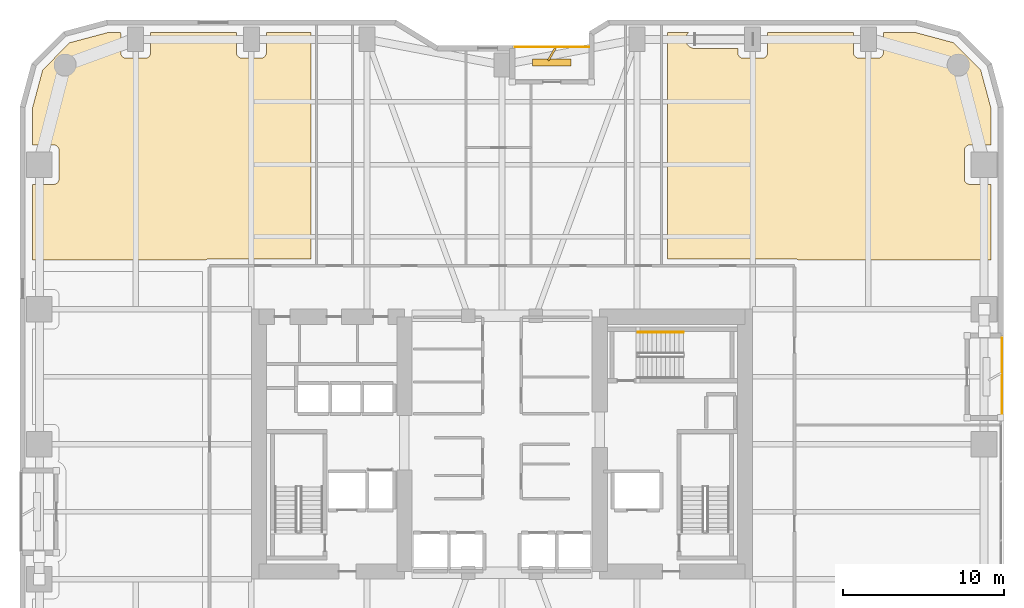
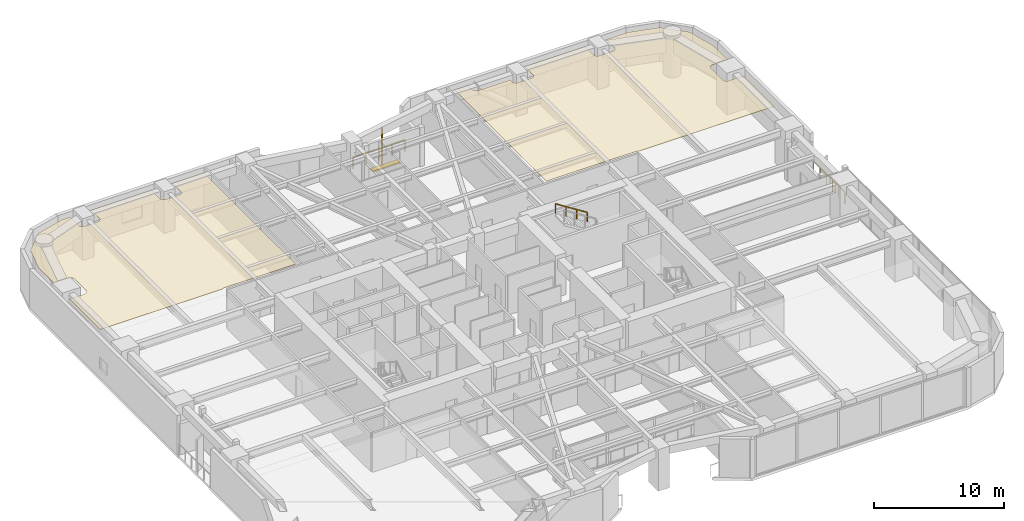
# One storey, part 26 of 26: 3 railings, 2 coverings, 2 shading devices.
"""IFC4 building model written with IfcOpenShell, lengths in metres."""

from ifc_helpers import new_model, si_unit, direction, frame, origin, origin_2d, place, context, subcontext, project, spatial, polyline, rectangle, outline, extrude, material, layer, layer_set, type_object, element, save


model = new_model("IFC4")

# Units and contexts
model_context = context("Model", 3, precision=1e-05, world=origin(), true_north=direction((0.0, 1.0)))
body_context = subcontext(model_context, "Body", "Model", "MODEL_VIEW")
ifc_project = project(units=[si_unit("LENGTHUNIT", "METRE"), si_unit("AREAUNIT", "SQUARE_METRE"), si_unit("VOLUMEUNIT", "CUBIC_METRE"), si_unit("PLANEANGLEUNIT", "RADIAN"), si_unit("MASSUNIT", "GRAM", prefix="KILO")], contexts=[model_context])

# Site, building, storey
site_placement = place(None, origin())
site = spatial("IfcSite", under=ifc_project, at=site_placement, CompositionType="ELEMENT")
building_placement = place(site_placement, origin())
building = spatial("IfcBuilding", under=site, at=building_placement, Name="Kiyonajd Concourse Tower", CompositionType="ELEMENT")
storey_placement = place(building_placement, frame((0.0, 0.0, 72.89990234375)))
storey = spatial("IfcBuildingStorey", under=building, at=storey_placement, Name="L19", CompositionType="ELEMENT", Elevation=72.89990234375)

# Coverings
ifc_material_1 = material(Name="Natural Oak Acoustic Timber Veneer", Category="wood")
ifc_layer = layer(ifc_material_1, 0.0400390625)
ifc_layer_set = layer_set([ifc_layer], Name="Natural Oak Acoustic Timber Veneer")
covering_type = type_object("IfcCoveringType", Name="CV-CLG-ACST", PredefinedType="CEILING", material=ifc_layer_set)
covering_1_placement = place(storey_placement, frame((0.0, 0.0, 3.460205078125)))
element("IfcCovering", 1, at=covering_1_placement, inside=storey, type_object=covering_type, Name="L19-47 Room Acoustic Ceiling", PredefinedType="CEILING", context=body_context, shape_type="SweptSolid", body=[
    extrude(outline(polyline([(21.097900390625, 60.986083984375), (23.5009765625, 61.6298828125), (24.27001953125, 61.6298828125), (24.27197265625, 60.3359375), (24.297119140625, 60.236083984375), (24.3291015625, 60.176025390625), (24.373046875, 60.123046875), (24.426025390625, 60.0791015625), (24.486083984375, 60.047119140625), (24.5859375, 60.02197265625), (25.81396484375, 60.02197265625), (25.9140625, 60.047119140625), (26.001953125, 60.09912109375), (26.051025390625, 60.14794921875), (26.089111328125, 60.205078125), (26.123046875, 60.302001953125), (26.1298828125, 60.3701171875), (26.1298828125, 61.6298828125), (31.469970703125, 61.6298828125), (31.471923828125, 60.3359375), (31.4970703125, 60.236083984375), (31.529052734375, 60.176025390625), (31.572998046875, 60.123046875), (31.6259765625, 60.0791015625), (31.68603515625, 60.047119140625), (31.785888671875, 60.02197265625), (32.97998046875, 60.02001953125), (33.048095703125, 60.027099609375), (33.114013671875, 60.047119140625), (33.201904296875, 60.09912109375), (33.2509765625, 60.14794921875), (33.2890625, 60.205078125), (33.322998046875, 60.302001953125), (33.330078125, 60.3701171875), (33.330078125, 61.6298828125), (36.110107421875, 61.6298828125), (36.110107421875, 47.5400390625), (29.800048828125, 47.5400390625), (29.669921875, 47.52001953125), (29.60693359375, 47.493896484375), (29.552001953125, 47.4599609375), (18.77001953125, 47.4599609375), (18.77001953125, 52.169921875), (20.080078125, 52.169921875), (20.14794921875, 52.177001953125), (20.2451171875, 52.2109375), (20.302001953125, 52.2490234375), (20.35107421875, 52.298095703125), (20.388916015625, 52.35498046875), (20.4150390625, 52.41796875), (20.429931640625, 52.52001953125), (20.429931640625, 54.280029296875), (20.4150390625, 54.382080078125), (20.388916015625, 54.445068359375), (20.35107421875, 54.501953125), (20.302001953125, 54.551025390625), (20.2451171875, 54.589111328125), (20.181884765625, 54.614990234375), (20.114013671875, 54.6279296875), (18.77001953125, 54.6298828125), (18.77001953125, 56.89892578125), (19.4140625, 59.302001953125), (21.097900390625, 60.986083984375)])), origin(), (0.0, 0.0, 1.0), 0.039794921875),
])
covering_2_placement = place(storey_placement, frame((0.0, 0.0, 3.460205078125)))
element("IfcCovering", 2, at=covering_2_placement, inside=storey, type_object=covering_type, Name="L19-54 Room Acoustic Ceiling", PredefinedType="CEILING", context=body_context, shape_type="SweptSolid", body=[
    extrude(outline(polyline([(59.6259765625, 61.6298828125), (59.5390625, 61.533935546875), (59.498046875, 61.469970703125), (59.467041015625, 61.40087890625), (59.43603515625, 61.27490234375), (59.429931640625, 61.199951171875), (59.43603515625, 61.125), (59.467041015625, 60.9990234375), (59.498046875, 60.929931640625), (59.5390625, 60.865966796875), (59.637939453125, 60.759033203125), (59.759033203125, 60.68408203125), (59.87109375, 60.64501953125), (59.97802734375, 60.631103515625), (62.669921875, 60.6298828125), (62.672119140625, 60.3359375), (62.68505859375, 60.26806640625), (62.7109375, 60.205078125), (62.77294921875, 60.123046875), (62.85498046875, 60.06103515625), (62.91796875, 60.034912109375), (63.02001953125, 60.02001953125), (64.214111328125, 60.02197265625), (64.31396484375, 60.047119140625), (64.3740234375, 60.0791015625), (64.427001953125, 60.123046875), (64.489013671875, 60.205078125), (64.514892578125, 60.26806640625), (64.528076171875, 60.3359375), (64.530029296875, 61.6298828125), (69.8701171875, 61.6298828125), (69.8701171875, 60.3701171875), (69.876953125, 60.302001953125), (69.89697265625, 60.236083984375), (69.928955078125, 60.176025390625), (69.998046875, 60.09912109375), (70.0859375, 60.047119140625), (70.18603515625, 60.02197265625), (71.4140625, 60.02197265625), (71.513916015625, 60.047119140625), (71.573974609375, 60.0791015625), (71.626953125, 60.123046875), (71.68896484375, 60.205078125), (71.715087890625, 60.26806640625), (71.72802734375, 60.3359375), (71.72998046875, 61.6298828125), (73.698974609375, 61.6298828125), (76.10205078125, 60.986083984375), (77.785888671875, 59.302001953125), (78.429931640625, 56.89892578125), (78.429931640625, 54.6298828125), (77.1201171875, 54.6298828125), (77.052001953125, 54.623046875), (76.986083984375, 54.60302734375), (76.926025390625, 54.571044921875), (76.84912109375, 54.501953125), (76.81103515625, 54.445068359375), (76.784912109375, 54.382080078125), (76.77001953125, 54.280029296875), (76.77001953125, 52.52001953125), (76.784912109375, 52.41796875), (76.81103515625, 52.35498046875), (76.84912109375, 52.298095703125), (76.89794921875, 52.2490234375), (76.955078125, 52.2109375), (77.01806640625, 52.18505859375), (77.0859375, 52.172119140625), (78.429931640625, 52.169921875), (78.429931640625, 47.4599609375), (66.447998046875, 47.4599609375), (66.39306640625, 47.493896484375), (66.330078125, 47.52001953125), (66.199951171875, 47.5400390625), (58.2900390625, 47.5400390625), (58.2900390625, 61.6298828125), (59.6259765625, 61.6298828125)])), origin(), (0.0, 0.0, 1.0), 0.039794921875),
])

# Railings
ifc_material_2 = material(Name="Thermally Broken Anodised Aluminium", Category="aluminium")
railing_type_1 = type_object("IfcRailingType", Name="RL-GRD-LOG", PredefinedType="GUARDRAIL", material=ifc_material_2)
railing_1_placement = place(storey_placement, frame((53.39990234375, 60.719970703125, 0.0)))
element("IfcRailing", 3, at=railing_1_placement, inside=storey, type_object=railing_type_1, Name="L19 Engawa Loggia Perimeter Guard LOG-N", PredefinedType="GUARDRAIL", context=body_context, shape_type="SweptSolid", body=[
    extrude(rectangle(XDim=0.048095703125, YDim=0.048095703125, at=origin_2d()), frame((0.0, 0.0, 1.076171875), z_axis=(-1.0, 0.0, 0.0), x_axis=(0.0, -1.0, 0.0)), (0.0, 0.0, 1.0), 4.599853515625),
    extrude(rectangle(XDim=0.0419921875, YDim=0.0419921875, at=origin_2d()), origin(), (0.0, 0.0, 1.0), 1.052001953125),
    extrude(rectangle(XDim=0.0419921875, YDim=0.0419921875, at=origin_2d()), frame((-1.14990234375, 0.0, 0.0)), (0.0, 0.0, 1.0), 1.052001953125),
    extrude(rectangle(XDim=0.0419921875, YDim=0.0419921875, at=origin_2d()), frame((-2.2998046875, 0.0, 0.0)), (0.0, 0.0, 1.0), 1.052001953125),
    extrude(rectangle(XDim=0.0419921875, YDim=0.0419921875, at=origin_2d()), frame((-3.449951171875, 0.0, 0.0)), (0.0, 0.0, 1.0), 1.052001953125),
    extrude(rectangle(XDim=0.0419921875, YDim=0.0419921875, at=origin_2d()), frame((-4.599853515625, 0.0, 0.0)), (0.0, 0.0, 1.0), 1.052001953125),
])
railing_2_placement = place(storey_placement, frame((79.1201171875, 37.800048828125, 0.0)))
element("IfcRailing", 4, at=railing_2_placement, inside=storey, type_object=railing_type_1, Name="L19 Engawa Loggia Perimeter Guard LOG-E", PredefinedType="GUARDRAIL", context=body_context, shape_type="SweptSolid", body=[
    extrude(rectangle(XDim=0.048095703125, YDim=0.048095703125, at=origin_2d()), frame((0.0, 0.0, 1.076171875), z_axis=(0.0, 1.0, 0.0), x_axis=(-1.0, 0.0, 0.0)), (0.0, 0.0, 1.0), 4.800048828125),
    extrude(rectangle(XDim=0.0419921875, YDim=0.0419921875, at=origin_2d()), origin(), (0.0, 0.0, 1.0), 1.052001953125),
    extrude(rectangle(XDim=0.0419921875, YDim=0.0419921875, at=origin_2d()), frame((0.0, 0.9599609375, 0.0)), (0.0, 0.0, 1.0), 1.052001953125),
    extrude(rectangle(XDim=0.0419921875, YDim=0.0419921875, at=origin_2d()), frame((0.0, 1.919921875, 0.0)), (0.0, 0.0, 1.0), 1.052001953125),
    extrude(rectangle(XDim=0.0419921875, YDim=0.0419921875, at=origin_2d()), frame((0.0, 2.880126953125, 0.0)), (0.0, 0.0, 1.0), 1.052001953125),
    extrude(rectangle(XDim=0.0419921875, YDim=0.0419921875, at=origin_2d()), frame((0.0, 3.840087890625, 0.0)), (0.0, 0.0, 1.0), 1.052001953125),
    extrude(rectangle(XDim=0.0419921875, YDim=0.0419921875, at=origin_2d()), frame((0.0, 4.800048828125, 0.0)), (0.0, 0.0, 1.0), 1.052001953125),
])
ifc_material_3 = material(Name="Brushed Stainless Steel Cab Assembly", Category="steel")
railing_type_2 = type_object("IfcRailingType", Name="RL-HND-900", PredefinedType="HANDRAIL", material=ifc_material_3)
railing_3_placement = place(storey_placement, frame((59.280029296875, 42.969970703125, 2.12744140625)))
element("IfcRailing", 5, at=railing_3_placement, inside=storey, type_object=railing_type_2, Name="L19 ST3 stair handrail 2", PredefinedType="HANDRAIL", context=body_context, shape_type="SweptSolid", body=[
    extrude(rectangle(XDim=0.048095703125, YDim=0.048095703125, at=origin_2d()), frame((0.0, 0.0, 0.8759765625), z_axis=(-0.844908973607, 0.0, 0.534910110503), x_axis=(0.0, -1.0, 0.0)), (0.0, 0.0, 1.0), 3.31396484375),
    extrude(rectangle(XDim=0.0419921875, YDim=0.0419921875, at=origin_2d()), origin(), (0.0, 0.0, 1.0), 0.851806640625),
    extrude(rectangle(XDim=0.0419921875, YDim=0.0419921875, at=origin_2d()), frame((-0.933349609375, 0.0, 0.5908203125)), (0.0, 0.0, 1.0), 0.851806640625),
    extrude(rectangle(XDim=0.0419921875, YDim=0.0419921875, at=origin_2d()), frame((-1.86669921875, 0.0, 1.181884765625)), (0.0, 0.0, 1.0), 0.851806640625),
    extrude(rectangle(XDim=0.0419921875, YDim=0.0419921875, at=origin_2d()), frame((-2.800048828125, 0.0, 1.772705078125)), (0.0, 0.0, 1.0), 0.851806640625),
])

# Shading devices
ifc_material_4 = material(Name="Precast concrete C50/60", Category="concrete")
shading_device_type_1 = type_object("IfcShadingDeviceType", Name="SH-FIN-900", PredefinedType="USERDEFINED", material=ifc_material_4)
shading_device_1_placement = place(storey_placement, frame((51.10009765625, 60.27001953125, 0.0), z_axis=(0.0, 0.0, 1.0), x_axis=(0.5, 0.866025403784, 0.0)))
element("IfcShadingDevice", 6, at=shading_device_1_placement, inside=storey, type_object=shading_device_type_1, Name="L19 Angled Koshi Solar Fin LOG-N", ObjectType="FIN", PredefinedType="USERDEFINED", context=body_context, shape_type="SweptSolid", body=[
    extrude(rectangle(XDim=0.89990234375, YDim=0.1201171875, at=origin_2d()), origin(), (0.0, 0.0, 1.0), 3.0),
])
shading_device_type_2 = type_object("IfcShadingDeviceType", Name="SH-LVR-600", PredefinedType="JALOUSIE", material=ifc_material_2)
shading_device_2_placement = place(storey_placement, frame((51.10009765625, 59.75, 0.0), z_axis=(0.0, 0.0, 1.0), x_axis=(1.0, 0.0, 0.0)))
element("IfcShadingDevice", 7, at=shading_device_2_placement, inside=storey, type_object=shading_device_type_2, Name="L19 Loggia Threshold Louver LOG-N", PredefinedType="JALOUSIE", context=body_context, shape_type="SweptSolid", body=[
    extrude(rectangle(XDim=2.39990234375, YDim=0.449951171875, at=origin_2d()), origin(), (0.0, 0.0, 1.0), 0.10009765625),
])

save(model, "model.ifc")
